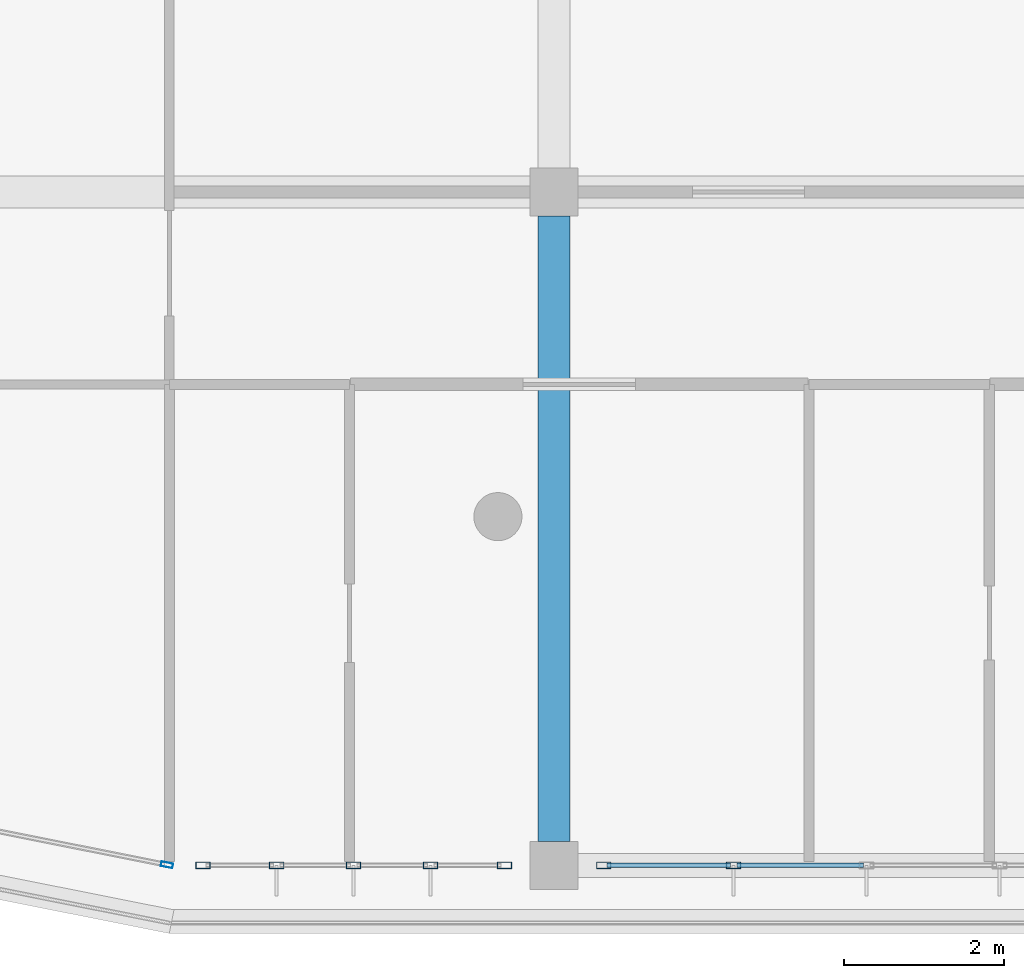
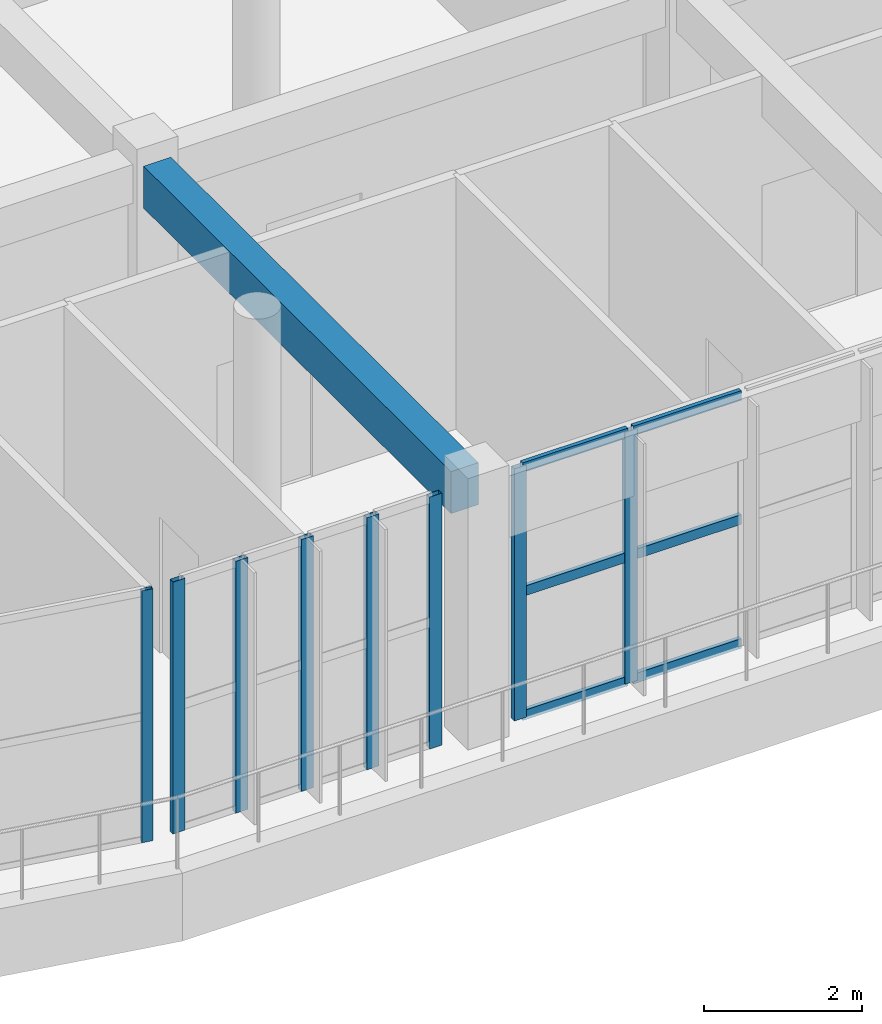
# One storey, part 4 of 56: 14 members, 1 beam, 3 elements without a shape of their own.
"""IFC4 building model written with IfcOpenShell, lengths in metres."""

from ifc_helpers import new_model, si_unit, direction, frame, origin, origin_2d, place, context, subcontext, project, spatial, rectangle, hollow_rectangle, extrude, material, layer, layer_set, material_profile, profile_set, type_object, element, aggregate, save


model = new_model("IFC4")

# Units and contexts
model_context = context("Model", 3, precision=1e-05, world=origin(), true_north=direction((0.0, 1.0)))
body_context = subcontext(model_context, "Body", "Model", "MODEL_VIEW")
ifc_project = project(units=[si_unit("LENGTHUNIT", "METRE"), si_unit("AREAUNIT", "SQUARE_METRE"), si_unit("VOLUMEUNIT", "CUBIC_METRE"), si_unit("PLANEANGLEUNIT", "RADIAN"), si_unit("MASSUNIT", "GRAM", prefix="KILO")], contexts=[model_context])

# Site, building, storey
site_placement = place(None, origin())
site = spatial("IfcSite", under=ifc_project, at=site_placement, CompositionType="ELEMENT")
building_placement = place(site_placement, origin())
building = spatial("IfcBuilding", under=site, at=building_placement, Name="Zizhar Promenade General Hospital", CompositionType="ELEMENT")
storey_placement = place(building_placement, frame((0.0, 0.0, 26.39990234375)))
storey = spatial("IfcBuildingStorey", under=building, at=storey_placement, Name="L06", CompositionType="ELEMENT", Elevation=26.39990234375)

# Beam
ifc_material_1 = material(Name="Concrete C35/45", Category="concrete")
ifc_material_profile_1 = material_profile(ifc_material_1, rectangle(XDim=0.39990234375, YDim=0.64990234375, at=origin_2d()))
ifc_profile_set_1 = profile_set([ifc_material_profile_1], Name="Concrete C35/45")
beam_type = type_object("IfcBeamType", Name="BM-RC-400x650", PredefinedType="BEAM", material=ifc_profile_set_1)
beam_placement = place(storey_placement, frame((39.0, 0.300048828125, 3.585205078125), z_axis=(0.0, 1.0, 0.0), x_axis=(-1.0, 0.0, 0.0)))
element("IfcBeam", 1, at=beam_placement, inside=storey, type_object=beam_type, Name="Grid Beam Y L06 (5-0)", PredefinedType="BEAM", context=body_context, shape_type="SweptSolid", body=[
    extrude(rectangle(XDim=0.39990234375, YDim=0.64990234375, at=origin_2d()), origin(), (0.0, 0.0, 1.0), 7.800048828125),
])

# Curtain wall, member
ifc_material_2 = material(Name="Anodised aluminium 6063-T6 and low-E glass", Category="aluminium")
ifc_layer_1 = layer(ifc_material_2, 0.159912109375)
ifc_layer_set_1 = layer_set([ifc_layer_1], Name="Anodised aluminium 6063-T6 and low-E glass")
curtain_wall_type_1 = type_object("IfcCurtainWallType", Name="CW-WARD-ARC", PredefinedType="NOTDEFINED", material=ifc_layer_set_1)
curtain_wall_1_placement = place(storey_placement, origin())
curtain_wall_1 = element("IfcCurtainWall", 2, at=curtain_wall_1_placement, inside=storey, type_object=curtain_wall_type_1, Name="Ward Semicircular End Glazing L06-17", PredefinedType="NOTDEFINED")
ifc_material_3 = material(Name="Anodised aluminium 6063-T6", Category="aluminium")
ifc_material_profile_2 = material_profile(ifc_material_3, hollow_rectangle(XDim=0.06005859375, YDim=0.14990234375, WallThickness=0.00390625, at=origin_2d()))
ifc_profile_set_2 = profile_set([ifc_material_profile_2], Name="Anodised aluminium 6063-T6")
member_type_1 = type_object("IfcMemberType", Name="CWM-ALU-150x60", PredefinedType="MULLION", material=ifc_profile_set_2)
member_1_placement = place(storey_placement, frame((34.170654296875, 0.005859375, 0.0), z_axis=(0.0, 0.0, 1.0), x_axis=(-0.195087259275, -0.980785889615, 0.0)))
member_1 = element("IfcMember", 3, at=member_1_placement, type_object=member_type_1, Name="CW-12 mullion 1", PredefinedType="MULLION", context=body_context, shape_type="SweptSolid", body=[
    extrude(hollow_rectangle(XDim=0.06005859375, YDim=0.14990234375, WallThickness=0.00390625, at=origin_2d()), origin(), (0.0, 0.0, 1.0), 3.900146484375),
])
aggregate(curtain_wall_1, [member_1])

# Curtain wall, members
ifc_material_4 = material(Name="Anodised aluminium 6063-T6 and low-E glass", Category="aluminium")
ifc_layer_2 = layer(ifc_material_4, 0.159912109375)
ifc_layer_set_2 = layer_set([ifc_layer_2], Name="Anodised aluminium 6063-T6 and low-E glass")
curtain_wall_type_2 = type_object("IfcCurtainWallType", Name="CW-WARD-RIB", PredefinedType="NOTDEFINED", material=ifc_layer_set_2)
curtain_wall_2_placement = place(storey_placement, origin())
curtain_wall_2 = element("IfcCurtainWall", 4, at=curtain_wall_2_placement, inside=storey, type_object=curtain_wall_type_2, Name="Ward Ribbon Curtain Wall L06-17-9", PredefinedType="NOTDEFINED")
ifc_material_5 = material(Name="Anodised aluminium 6063-T6", Category="aluminium")
ifc_material_profile_3 = material_profile(ifc_material_5, hollow_rectangle(XDim=0.080078125, YDim=0.179931640625, WallThickness=0.0048828125, at=origin_2d()))
ifc_profile_set_3 = profile_set([ifc_material_profile_3], Name="Anodised aluminium 6063-T6")
member_type_2 = type_object("IfcMemberType", Name="CWM-ALU-180x80", PredefinedType="MULLION", material=ifc_profile_set_3)
member_2_placement = place(storey_placement, frame((41.239990234375, 0.0, 0.0), z_axis=(0.0, 0.0, 1.0), x_axis=(0.0, -1.0, 0.0)))
member_2 = element("IfcMember", 5, at=member_2_placement, type_object=member_type_2, Name="CW-13 mullion 4", PredefinedType="MULLION", context=body_context, shape_type="SweptSolid", body=[
    extrude(hollow_rectangle(XDim=0.080078125, YDim=0.179931640625, WallThickness=0.0048828125, at=origin_2d()), origin(), (0.0, 0.0, 1.0), 3.900146484375),
])
member_3_placement = place(storey_placement, frame((39.6201171875, 0.0, 0.0), z_axis=(0.0, 0.0, 1.0), x_axis=(0.0, -1.0, 0.0)))
member_3 = element("IfcMember", 6, at=member_3_placement, type_object=member_type_2, Name="CW-13 mullion 5", PredefinedType="MULLION", context=body_context, shape_type="SweptSolid", body=[
    extrude(hollow_rectangle(XDim=0.080078125, YDim=0.179931640625, WallThickness=0.0048828125, at=origin_2d()), origin(), (0.0, 0.0, 1.0), 3.900146484375),
])

curtain_wall_3_placement = place(storey_placement, origin())
curtain_wall_3 = element("IfcCurtainWall", 7, at=curtain_wall_3_placement, inside=storey, type_object=curtain_wall_type_2, Name="Ward Ribbon Curtain Wall L06-17-10", PredefinedType="NOTDEFINED")
member_4_placement = place(storey_placement, frame((38.3798828125, 0.0, 0.0), z_axis=(0.0, 0.0, 1.0), x_axis=(0.0, -1.0, 0.0)))
member_4 = element("IfcMember", 8, at=member_4_placement, type_object=member_type_2, Name="CW-13 mullion 1", PredefinedType="MULLION", context=body_context, shape_type="SweptSolid", body=[
    extrude(hollow_rectangle(XDim=0.080078125, YDim=0.179931640625, WallThickness=0.0048828125, at=origin_2d()), origin(), (0.0, 0.0, 1.0), 3.900146484375),
])
member_5_placement = place(storey_placement, frame((37.4599609375, 0.0, 0.0), z_axis=(0.0, 0.0, 1.0), x_axis=(0.0, -1.0, 0.0)))
member_5 = element("IfcMember", 9, at=member_5_placement, type_object=member_type_2, Name="CW-13 mullion 2", PredefinedType="MULLION", context=body_context, shape_type="SweptSolid", body=[
    extrude(hollow_rectangle(XDim=0.080078125, YDim=0.179931640625, WallThickness=0.0048828125, at=origin_2d()), origin(), (0.0, 0.0, 1.0), 3.900146484375),
])
member_6_placement = place(storey_placement, frame((36.5, 0.0, 0.0), z_axis=(0.0, 0.0, 1.0), x_axis=(0.0, -1.0, 0.0)))
member_6 = element("IfcMember", 10, at=member_6_placement, type_object=member_type_2, Name="CW-13 mullion 3", PredefinedType="MULLION", context=body_context, shape_type="SweptSolid", body=[
    extrude(hollow_rectangle(XDim=0.080078125, YDim=0.179931640625, WallThickness=0.0048828125, at=origin_2d()), origin(), (0.0, 0.0, 1.0), 3.900146484375),
])
member_7_placement = place(storey_placement, frame((35.5400390625, 0.0, 0.0), z_axis=(0.0, 0.0, 1.0), x_axis=(0.0, -1.0, 0.0)))
member_7 = element("IfcMember", 11, at=member_7_placement, type_object=member_type_2, Name="CW-13 mullion 4", PredefinedType="MULLION", context=body_context, shape_type="SweptSolid", body=[
    extrude(hollow_rectangle(XDim=0.080078125, YDim=0.179931640625, WallThickness=0.0048828125, at=origin_2d()), origin(), (0.0, 0.0, 1.0), 3.900146484375),
])
member_8_placement = place(storey_placement, frame((34.6201171875, 0.0, 0.0), z_axis=(0.0, 0.0, 1.0), x_axis=(0.0, -1.0, 0.0)))
member_8 = element("IfcMember", 12, at=member_8_placement, type_object=member_type_2, Name="CW-13 mullion 5", PredefinedType="MULLION", context=body_context, shape_type="SweptSolid", body=[
    extrude(hollow_rectangle(XDim=0.080078125, YDim=0.179931640625, WallThickness=0.0048828125, at=origin_2d()), origin(), (0.0, 0.0, 1.0), 3.900146484375),
])
aggregate(curtain_wall_3, [member_4, member_5, member_6, member_7, member_8])

# Member
ifc_material_6 = material(Name="Anodised aluminium 6063-T6", Category="aluminium")
ifc_material_profile_4 = material_profile(ifc_material_6, hollow_rectangle(XDim=0.06005859375, YDim=0.14990234375, WallThickness=0.00390625, at=origin_2d()))
ifc_profile_set_4 = profile_set([ifc_material_profile_4], Name="Anodised aluminium 6063-T6")
member_type_3 = type_object("IfcMemberType", Name="CWT-ALU-150x60", PredefinedType="USERDEFINED", material=ifc_profile_set_4)
member_9_placement = place(storey_placement, frame((42.860107421875, 0.0, 0.030029296875), z_axis=(-1.0, 0.0, 0.0), x_axis=(0.0, -1.0, 0.0)))
member_9 = element("IfcMember", 13, at=member_9_placement, type_object=member_type_3, Name="CW-13 transom 3.1", ObjectType="TRANSOM", PredefinedType="USERDEFINED", context=body_context, shape_type="SweptSolid", body=[
    extrude(hollow_rectangle(XDim=0.06005859375, YDim=0.14990234375, WallThickness=0.00390625, at=origin_2d()), origin(), (0.0, 0.0, 1.0), 1.580078125),
])

member_10_placement = place(storey_placement, frame((42.860107421875, 0.0, 1.9501953125), z_axis=(-1.0, 0.0, 0.0), x_axis=(0.0, -1.0, 0.0)))
member_10 = element("IfcMember", 14, at=member_10_placement, type_object=member_type_3, Name="CW-13 transom 3.2", ObjectType="TRANSOM", PredefinedType="USERDEFINED", context=body_context, shape_type="SweptSolid", body=[
    extrude(hollow_rectangle(XDim=0.06005859375, YDim=0.14990234375, WallThickness=0.00390625, at=origin_2d()), origin(), (0.0, 0.0, 1.0), 1.580078125),
])

member_11_placement = place(storey_placement, frame((42.860107421875, 0.0, 3.8701171875), z_axis=(-1.0, 0.0, 0.0), x_axis=(0.0, -1.0, 0.0)))
member_11 = element("IfcMember", 15, at=member_11_placement, type_object=member_type_3, Name="CW-13 transom 3.3", ObjectType="TRANSOM", PredefinedType="USERDEFINED", context=body_context, shape_type="SweptSolid", body=[
    extrude(hollow_rectangle(XDim=0.06005859375, YDim=0.14990234375, WallThickness=0.00390625, at=origin_2d()), origin(), (0.0, 0.0, 1.0), 1.580078125),
])

member_12_placement = place(storey_placement, frame((41.199951171875, 0.0, 0.030029296875), z_axis=(-1.0, 0.0, 0.0), x_axis=(0.0, -1.0, 0.0)))
member_12 = element("IfcMember", 16, at=member_12_placement, type_object=member_type_3, Name="CW-13 transom 4.1", ObjectType="TRANSOM", PredefinedType="USERDEFINED", context=body_context, shape_type="SweptSolid", body=[
    extrude(hollow_rectangle(XDim=0.06005859375, YDim=0.14990234375, WallThickness=0.00390625, at=origin_2d()), origin(), (0.0, 0.0, 1.0), 1.5400390625),
])

member_13_placement = place(storey_placement, frame((41.199951171875, 0.0, 1.9501953125), z_axis=(-1.0, 0.0, 0.0), x_axis=(0.0, -1.0, 0.0)))
member_13 = element("IfcMember", 17, at=member_13_placement, type_object=member_type_3, Name="CW-13 transom 4.2", ObjectType="TRANSOM", PredefinedType="USERDEFINED", context=body_context, shape_type="SweptSolid", body=[
    extrude(hollow_rectangle(XDim=0.06005859375, YDim=0.14990234375, WallThickness=0.00390625, at=origin_2d()), origin(), (0.0, 0.0, 1.0), 1.5400390625),
])

member_14_placement = place(storey_placement, frame((41.199951171875, 0.0, 3.8701171875), z_axis=(-1.0, 0.0, 0.0), x_axis=(0.0, -1.0, 0.0)))
member_14 = element("IfcMember", 18, at=member_14_placement, type_object=member_type_3, Name="CW-13 transom 4.3", ObjectType="TRANSOM", PredefinedType="USERDEFINED", context=body_context, shape_type="SweptSolid", body=[
    extrude(hollow_rectangle(XDim=0.06005859375, YDim=0.14990234375, WallThickness=0.00390625, at=origin_2d()), origin(), (0.0, 0.0, 1.0), 1.5400390625),
])

aggregate(curtain_wall_2, [member_2, member_3, member_9, member_10, member_11, member_12, member_13, member_14])

save(model, "model.ifc")
